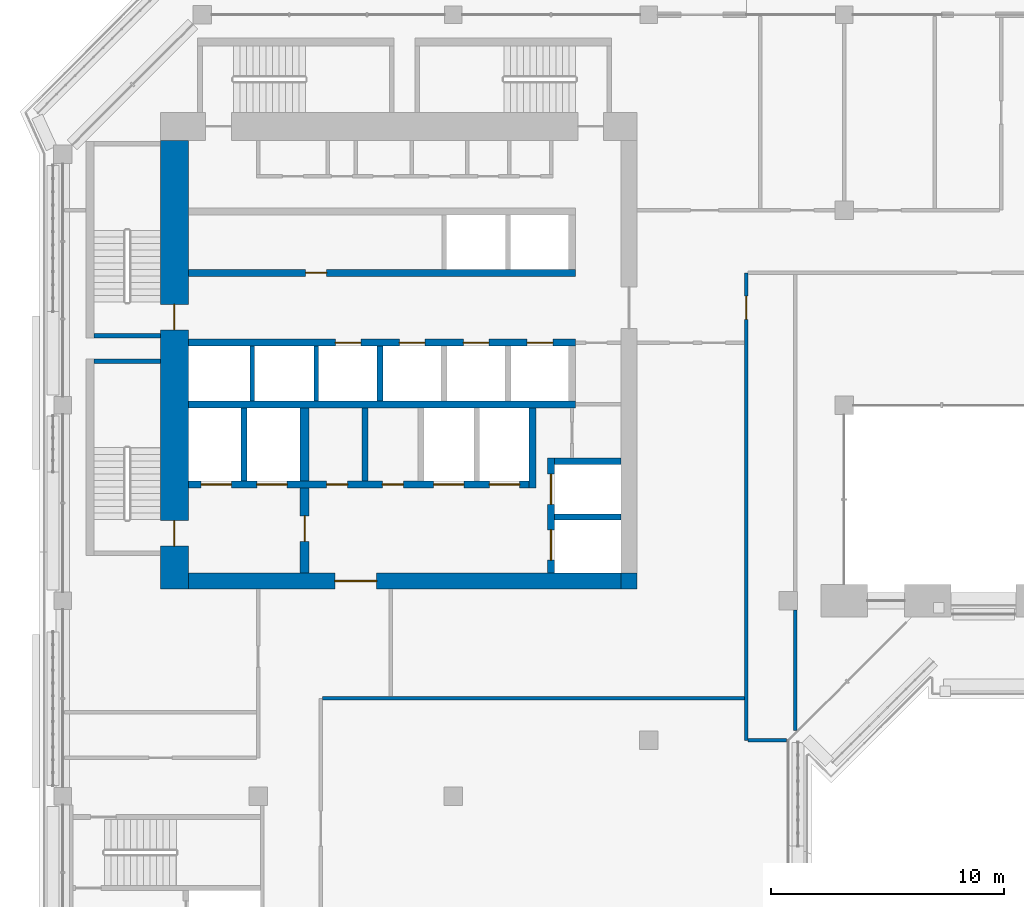
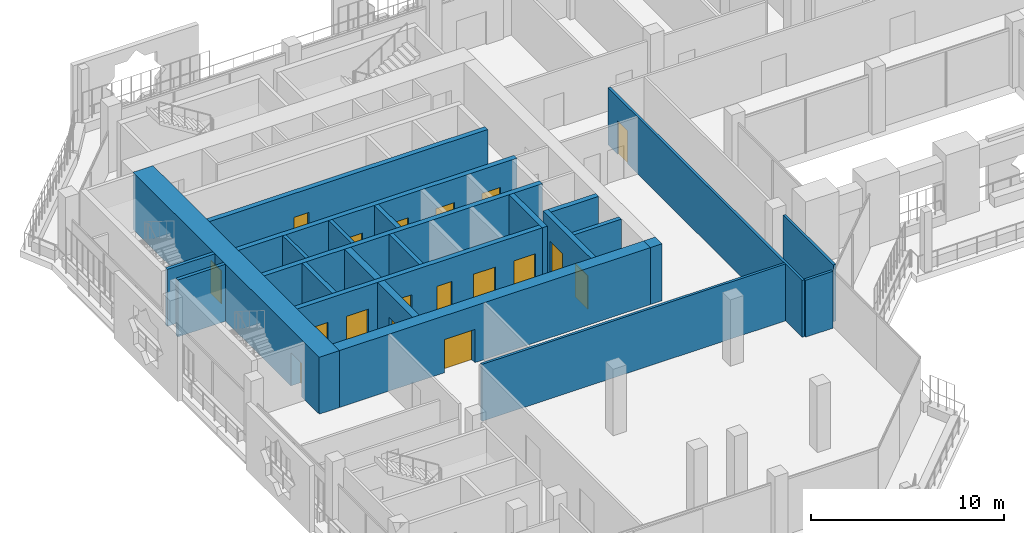
# One storey, part 11 of 23: 24 walls, 18 doors, 18 openings.
"""IFC4 building model written with IfcOpenShell, lengths in metres."""

from ifc_helpers import new_model, si_unit, direction, frame, frame_2d, origin, place, context, subcontext, project, spatial, rectangle, extrude, material, layer, layer_set, type_object, element, fill, save


model = new_model("IFC4")

# Units and contexts
model_context = context("Model", 3, precision=1e-05, world=origin(), true_north=direction((0.0, 1.0)))
body_context = subcontext(model_context, "Body", "Model", "MODEL_VIEW")
ifc_project = project(units=[si_unit("LENGTHUNIT", "METRE"), si_unit("AREAUNIT", "SQUARE_METRE"), si_unit("VOLUMEUNIT", "CUBIC_METRE"), si_unit("PLANEANGLEUNIT", "RADIAN"), si_unit("MASSUNIT", "GRAM", prefix="KILO")], contexts=[model_context])

# Site, building, storey
site_placement = place(None, origin())
site = spatial("IfcSite", under=ifc_project, at=site_placement, CompositionType="ELEMENT")
building_placement = place(site_placement, origin())
building = spatial("IfcBuilding", under=site, at=building_placement, Name="Kawkab Arch Medical Tower", CompositionType="ELEMENT")
storey_placement = place(building_placement, frame((0.0, 0.0, 281.800048828125)))
storey = spatial("IfcBuildingStorey", under=building, at=storey_placement, Name="L65", CompositionType="ELEMENT", Elevation=281.800048828125)

# Wall, openings, doors
ifc_material_1 = material(Name="Concrete C50/60", Category="concrete")
ifc_layer_1 = layer(ifc_material_1, 1.199951171875)
ifc_layer_set_1 = layer_set([ifc_layer_1], Name="Concrete C50/60")
wall_type_1 = type_object("IfcWallType", Name="Core ring wall 1200 C50/60", PredefinedType="SHEAR", material=ifc_layer_set_1)
wall_1_placement = place(storey_placement, frame((4.800048828125, -24.699951171875, 0.0), z_axis=(0.0, 0.0, 1.0), x_axis=(0.0, 1.0, 0.0)))
wall_1 = element("IfcWall", 1, at=wall_1_placement, inside=storey, type_object=wall_type_1, Name="L65 core wall", PredefinedType="SHEAR", context=body_context, shape_type="SweptSolid", body=[
    extrude(rectangle(XDim=19.300048828125, YDim=1.199951171875, at=frame_2d((9.64990234375, 0.0))), origin(), (0.0, 0.0, 1.0), 3.599853515625),
])
opening_1_placement = place(wall_1_placement, frame((11.14990234375, 0.0, 0.0)))
opening_1 = element("IfcOpeningElement", 2, at=opening_1_placement, cuts=wall_1, Name="Opening SD", PredefinedType="OPENING", context=body_context, shape_type="SweptSolid", body=[
    extrude(rectangle(XDim=1.10009765625, YDim=2.10009765625, at=frame_2d((0.550048828125, 1.050048828125))), frame((0.0, 0.60986328125, 0.0), z_axis=(0.0, -1.0, 0.0), x_axis=(1.0, 0.0, 0.0)), (0.0, 0.0, 1.0), 1.219970703125),
])
opening_2_placement = place(wall_1_placement, frame((1.85009765625, 0.0, 0.0)))
opening_2 = element("IfcOpeningElement", 3, at=opening_2_placement, cuts=wall_1, Name="Opening SD", PredefinedType="OPENING", context=body_context, shape_type="SweptSolid", body=[
    extrude(rectangle(XDim=1.10009765625, YDim=2.10009765625, at=frame_2d((0.550048828125, 1.050048828125))), frame((0.0, 0.60986328125, 0.0), z_axis=(0.0, -1.0, 0.0), x_axis=(1.0, 0.0, 0.0)), (0.0, 0.0, 1.0), 1.219970703125),
])
ifc_material_2 = material(Name="Hollow metal fire door leaf")
door_type_1 = type_object("IfcDoorType", Name="Exit stair door 1100", OperationType="SINGLE_SWING_LEFT", PredefinedType="DOOR", material=ifc_material_2)
door_1_placement = place(opening_1_placement, origin())
door_1 = element("IfcDoor", 4, at=door_1_placement, inside=storey, type_object=door_type_1, Name="L65 Exit stair ST1 door", OperationType="SINGLE_SWING_LEFT", OverallHeight=2.10009765625, OverallWidth=1.10009765625, PredefinedType="DOOR", context=body_context, shape_type="SweptSolid", body=[
    extrude(rectangle(XDim=1.10009765625, YDim=2.10009765625, at=frame_2d((0.550048828125, 1.050048828125))), frame((0.0, 0.02490234375, 0.0), z_axis=(0.0, -1.0, 0.0), x_axis=(1.0, 0.0, 0.0)), (0.0, 0.0, 1.0), 0.050048828125),
])
fill(opening_1, door_1)
door_2_placement = place(opening_2_placement, origin())
door_2 = element("IfcDoor", 5, at=door_2_placement, inside=storey, type_object=door_type_1, Name="L65 Exit stair ST2 door", OperationType="SINGLE_SWING_LEFT", OverallHeight=2.10009765625, OverallWidth=1.10009765625, PredefinedType="DOOR", context=body_context, shape_type="SweptSolid", body=[
    extrude(rectangle(XDim=1.10009765625, YDim=2.10009765625, at=frame_2d((0.550048828125, 1.050048828125))), frame((0.0, 0.02490234375, 0.0), z_axis=(0.0, -1.0, 0.0), x_axis=(1.0, 0.0, 0.0)), (0.0, 0.0, 1.0), 0.050048828125),
])
fill(opening_2, door_2)

# Wall, opening, door
ifc_material_3 = material(Name="Concrete C50/60", Category="concrete")
ifc_layer_2 = layer(ifc_material_3, 0.699951171875)
ifc_layer_set_2 = layer_set([ifc_layer_2], Name="Concrete C50/60")
wall_type_2 = type_object("IfcWallType", Name="Core ring wall 700 C50/60", PredefinedType="SHEAR", material=ifc_layer_set_2)
wall_2_placement = place(storey_placement, frame((5.39990234375, -24.35009765625, 0.0), z_axis=(0.0, 0.0, 1.0), x_axis=(1.0, 0.0, 0.0)))
wall_2 = element("IfcWall", 6, at=wall_2_placement, inside=storey, type_object=wall_type_2, Name="L65 core wall", PredefinedType="SHEAR", context=body_context, shape_type="SweptSolid", body=[
    extrude(rectangle(XDim=18.60009765625, YDim=0.699951171875, at=frame_2d((9.300048828125, 0.0))), origin(), (0.0, 0.0, 1.0), 3.599853515625),
])
opening_3_placement = place(wall_2_placement, frame((6.300048828125, 0.0, 0.0)))
opening_3 = element("IfcOpeningElement", 7, at=opening_3_placement, cuts=wall_2, Name="Opening PD", PredefinedType="OPENING", context=body_context, shape_type="SweptSolid", body=[
    extrude(rectangle(XDim=1.800048828125, YDim=2.10009765625, at=frame_2d((0.89990234375, 1.050048828125))), frame((0.0, 0.35986328125, 0.0), z_axis=(0.0, -1.0, 0.0), x_axis=(1.0, 0.0, 0.0)), (0.0, 0.0, 1.0), 0.719970703125),
])
ifc_material_4 = material(Name="Hollow metal fire door leaf")
door_type_2 = type_object("IfcDoorType", Name="Core entrance doors 1800", OperationType="DOUBLE_DOOR_SINGLE_SWING", PredefinedType="DOOR", material=ifc_material_4)
door_3_placement = place(opening_3_placement, origin())
door_3 = element("IfcDoor", 8, at=door_3_placement, inside=storey, type_object=door_type_2, Name="L65 South entrance doors", OperationType="DOUBLE_DOOR_SINGLE_SWING", OverallHeight=2.10009765625, OverallWidth=1.800048828125, PredefinedType="DOOR", context=body_context, shape_type="SweptSolid", body=[
    extrude(rectangle(XDim=1.800048828125, YDim=2.10009765625, at=frame_2d((0.89990234375, 1.050048828125))), frame((0.0, 0.02490234375, 0.0), z_axis=(0.0, -1.0, 0.0), x_axis=(1.0, 0.0, 0.0)), (0.0, 0.0, 1.0), 0.050048828125),
])
fill(opening_3, door_3)

# Walls
wall_3_placement = place(storey_placement, frame((24.35009765625, -24.699951171875, 0.0), z_axis=(0.0, 0.0, 1.0), x_axis=(0.0, 1.0, 0.0)))
element("IfcWall", 9, at=wall_3_placement, inside=storey, type_object=wall_type_2, Name="L65 core wall", PredefinedType="SHEAR", context=body_context, shape_type="SweptSolid", body=[
    extrude(rectangle(XDim=0.699951171875, YDim=0.699951171875, at=frame_2d((0.35009765625, 0.0))), origin(), (0.0, 0.0, 1.0), 3.599853515625),
])
ifc_material_5 = material(Name="Concrete C60/75", Category="concrete")
ifc_layer_3 = layer(ifc_material_5, 0.25)
ifc_layer_set_3 = layer_set([ifc_layer_3], Name="Concrete C60/75")
wall_type_3 = type_object("IfcWallType", Name="Core shear wall 250 C60/75", PredefinedType="SHEAR", material=ifc_layer_set_3)
wall_4_placement = place(storey_placement, frame((21.14990234375, -21.60009765625, 0.0), z_axis=(0.0, 0.0, 1.0), x_axis=(1.0, 0.0, 0.0)))
element("IfcWall", 10, at=wall_4_placement, inside=storey, type_object=wall_type_3, Name="L65 core shear wall", PredefinedType="SHEAR", context=body_context, shape_type="SweptSolid", body=[
    extrude(rectangle(XDim=2.85009765625, YDim=0.25, at=frame_2d((1.425048828125, 0.0))), origin(), (0.0, 0.0, 1.0), 3.599853515625),
])
for number, where, z_axis, x_axis, name in (
    (11, (7.800048828125, -20.050048828125, 0.0), (0.0, 0.0, 1.0), (0.0, 1.0, 0.0), "L65 core shear wall"),
    (12, (13.0, -20.050048828125, 0.0), (0.0, 0.0, 1.0), (0.0, 1.0, 0.0), "L65 core shear wall"),
):
    element("IfcWall", number, at=place(storey_placement, frame(where, z_axis=z_axis, x_axis=x_axis)), inside=storey, type_object=wall_type_3, Name=name, PredefinedType="SHEAR", context=body_context, shape_type="SweptSolid", body=[
        extrude(rectangle(XDim=3.150146484375, YDim=0.25, at=frame_2d((1.5751953125, 0.0))), origin(), (0.0, 0.0, 1.0), 3.599853515625),
    ])
wall_5_placement = place(storey_placement, frame((13.64990234375, -16.60009765625, 0.0), z_axis=(0.0, 0.0, 1.0), x_axis=(0.0, 1.0, 0.0)))
element("IfcWall", 13, at=wall_5_placement, inside=storey, type_object=wall_type_3, Name="L65 core shear wall", PredefinedType="SHEAR", context=body_context, shape_type="SweptSolid", body=[
    extrude(rectangle(XDim=2.35009765625, YDim=0.25, at=frame_2d((1.175048828125, 0.0))), origin(), (0.0, 0.0, 1.0), 3.599853515625),
])

# Wall, opening, door
ifc_material_6 = material(Name="Concrete C60/75", Category="concrete")
ifc_layer_4 = layer(ifc_material_6, 0.300048828125)
ifc_layer_set_4 = layer_set([ifc_layer_4], Name="Concrete C60/75")
wall_type_4 = type_object("IfcWallType", Name="Core shear wall 300 C60/75", PredefinedType="SHEAR", material=ifc_layer_set_4)
wall_6_placement = place(storey_placement, frame((5.39990234375, -11.10009765625, 0.0), z_axis=(0.0, 0.0, 1.0), x_axis=(1.0, 0.0, 0.0)))
wall_6 = element("IfcWall", 14, at=wall_6_placement, inside=storey, type_object=wall_type_4, Name="L65 core shear wall", PredefinedType="SHEAR", context=body_context, shape_type="SweptSolid", body=[
    extrude(rectangle(XDim=16.650146484375, YDim=0.300048828125, at=frame_2d((8.3251953125, 0.0))), origin(), (0.0, 0.0, 1.0), 3.599853515625),
])
opening_4_placement = place(wall_6_placement, frame((5.050048828125, 0.0, 0.0)))
opening_4 = element("IfcOpeningElement", 15, at=opening_4_placement, cuts=wall_6, Name="Opening RD", PredefinedType="OPENING", context=body_context, shape_type="SweptSolid", body=[
    extrude(rectangle(XDim=0.89990234375, YDim=2.10009765625, at=frame_2d((0.449951171875, 1.050048828125))), frame((0.0, 0.159912109375, 0.0), z_axis=(0.0, -1.0, 0.0), x_axis=(1.0, 0.0, 0.0)), (0.0, 0.0, 1.0), 0.320068359375),
])
ifc_material_7 = material(Name="Hollow metal fire door leaf")
door_type_3 = type_object("IfcDoorType", Name="Core room door 900", OperationType="SINGLE_SWING_LEFT", PredefinedType="DOOR", material=ifc_material_7)
door_4_placement = place(opening_4_placement, origin())
door_4 = element("IfcDoor", 16, at=door_4_placement, inside=storey, type_object=door_type_3, Name="L65 Data room door", OperationType="SINGLE_SWING_LEFT", OverallHeight=2.10009765625, OverallWidth=0.89990234375, PredefinedType="DOOR", context=body_context, shape_type="SweptSolid", body=[
    extrude(rectangle(XDim=0.89990234375, YDim=2.10009765625, at=frame_2d((0.449951171875, 1.050048828125))), frame((0.0, 0.02490234375, 0.0), z_axis=(0.0, -1.0, 0.0), x_axis=(1.0, 0.0, 0.0)), (0.0, 0.0, 1.0), 0.050048828125),
])
fill(opening_4, door_4)

# Wall, openings, doors
wall_7_placement = place(storey_placement, frame((5.39990234375, -14.10009765625, 0.0), z_axis=(0.0, 0.0, 1.0), x_axis=(1.0, 0.0, 0.0)))
wall_7 = element("IfcWall", 17, at=wall_7_placement, inside=storey, type_object=wall_type_4, Name="L65 core shear wall", PredefinedType="SHEAR", context=body_context, shape_type="SweptSolid", body=[
    extrude(rectangle(XDim=16.650146484375, YDim=0.300048828125, at=frame_2d((8.3251953125, 0.0))), origin(), (0.0, 0.0, 1.0), 3.599853515625),
])
opening_5_placement = place(wall_7_placement, frame((6.324951171875, 0.0, 0.0)))
opening_5 = element("IfcOpeningElement", 18, at=opening_5_placement, cuts=wall_7, Name="Opening LD1", PredefinedType="OPENING", context=body_context, shape_type="SweptSolid", body=[
    extrude(rectangle(XDim=1.10009765625, YDim=2.10009765625, at=frame_2d((0.550048828125, 1.050048828125))), frame((0.0, 0.159912109375, 0.0), z_axis=(0.0, -1.0, 0.0), x_axis=(1.0, 0.0, 0.0)), (0.0, 0.0, 1.0), 0.320068359375),
])
opening_6_placement = place(wall_7_placement, frame((9.074951171875, 0.0, 0.0)))
opening_6 = element("IfcOpeningElement", 19, at=opening_6_placement, cuts=wall_7, Name="Opening LD1", PredefinedType="OPENING", context=body_context, shape_type="SweptSolid", body=[
    extrude(rectangle(XDim=1.10009765625, YDim=2.10009765625, at=frame_2d((0.550048828125, 1.050048828125))), frame((0.0, 0.159912109375, 0.0), z_axis=(0.0, -1.0, 0.0), x_axis=(1.0, 0.0, 0.0)), (0.0, 0.0, 1.0), 0.320068359375),
])
opening_7_placement = place(wall_7_placement, frame((11.824951171875, 0.0, 0.0)))
opening_7 = element("IfcOpeningElement", 20, at=opening_7_placement, cuts=wall_7, Name="Opening LD1", PredefinedType="OPENING", context=body_context, shape_type="SweptSolid", body=[
    extrude(rectangle(XDim=1.10009765625, YDim=2.10009765625, at=frame_2d((0.550048828125, 1.050048828125))), frame((0.0, 0.159912109375, 0.0), z_axis=(0.0, -1.0, 0.0), x_axis=(1.0, 0.0, 0.0)), (0.0, 0.0, 1.0), 0.320068359375),
])
opening_8_placement = place(wall_7_placement, frame((14.574951171875, 0.0, 0.0)))
opening_8 = element("IfcOpeningElement", 21, at=opening_8_placement, cuts=wall_7, Name="Opening LD1", PredefinedType="OPENING", context=body_context, shape_type="SweptSolid", body=[
    extrude(rectangle(XDim=1.10009765625, YDim=2.10009765625, at=frame_2d((0.550048828125, 1.050048828125))), frame((0.0, 0.159912109375, 0.0), z_axis=(0.0, -1.0, 0.0), x_axis=(1.0, 0.0, 0.0)), (0.0, 0.0, 1.0), 0.320068359375),
])
ifc_material_8 = material(Name="Stainless steel lift door leaf", Category="steel")
door_type_4 = type_object("IfcDoorType", Name="Lift landing door 1100", OperationType="DOUBLE_DOOR_SLIDING", PredefinedType="DOOR", material=ifc_material_8)
door_5_placement = place(opening_5_placement, origin())
door_5 = element("IfcDoor", 22, at=door_5_placement, inside=storey, type_object=door_type_4, Name="L65 Lift landing door HP1", OperationType="DOUBLE_DOOR_SLIDING", OverallHeight=2.10009765625, OverallWidth=1.10009765625, PredefinedType="DOOR", context=body_context, shape_type="SweptSolid", body=[
    extrude(rectangle(XDim=1.10009765625, YDim=2.10009765625, at=frame_2d((0.550048828125, 1.050048828125))), frame((0.0, 0.02490234375, 0.0), z_axis=(0.0, -1.0, 0.0), x_axis=(1.0, 0.0, 0.0)), (0.0, 0.0, 1.0), 0.050048828125),
])
fill(opening_5, door_5)
door_6_placement = place(opening_6_placement, origin())
door_6 = element("IfcDoor", 23, at=door_6_placement, inside=storey, type_object=door_type_4, Name="L65 Lift landing door HP2", OperationType="DOUBLE_DOOR_SLIDING", OverallHeight=2.10009765625, OverallWidth=1.10009765625, PredefinedType="DOOR", context=body_context, shape_type="SweptSolid", body=[
    extrude(rectangle(XDim=1.10009765625, YDim=2.10009765625, at=frame_2d((0.550048828125, 1.050048828125))), frame((0.0, 0.02490234375, 0.0), z_axis=(0.0, -1.0, 0.0), x_axis=(1.0, 0.0, 0.0)), (0.0, 0.0, 1.0), 0.050048828125),
])
fill(opening_6, door_6)
door_7_placement = place(opening_7_placement, origin())
door_7 = element("IfcDoor", 24, at=door_7_placement, inside=storey, type_object=door_type_4, Name="L65 Lift landing door HP3", OperationType="DOUBLE_DOOR_SLIDING", OverallHeight=2.10009765625, OverallWidth=1.10009765625, PredefinedType="DOOR", context=body_context, shape_type="SweptSolid", body=[
    extrude(rectangle(XDim=1.10009765625, YDim=2.10009765625, at=frame_2d((0.550048828125, 1.050048828125))), frame((0.0, 0.02490234375, 0.0), z_axis=(0.0, -1.0, 0.0), x_axis=(1.0, 0.0, 0.0)), (0.0, 0.0, 1.0), 0.050048828125),
])
fill(opening_7, door_7)
door_8_placement = place(opening_8_placement, origin())
door_8 = element("IfcDoor", 25, at=door_8_placement, inside=storey, type_object=door_type_4, Name="L65 Lift landing door HP4", OperationType="DOUBLE_DOOR_SLIDING", OverallHeight=2.10009765625, OverallWidth=1.10009765625, PredefinedType="DOOR", context=body_context, shape_type="SweptSolid", body=[
    extrude(rectangle(XDim=1.10009765625, YDim=2.10009765625, at=frame_2d((0.550048828125, 1.050048828125))), frame((0.0, 0.02490234375, 0.0), z_axis=(0.0, -1.0, 0.0), x_axis=(1.0, 0.0, 0.0)), (0.0, 0.0, 1.0), 0.050048828125),
])
fill(opening_8, door_8)

# Wall
wall_8_placement = place(storey_placement, frame((5.39990234375, -16.75, 0.0), z_axis=(0.0, 0.0, 1.0), x_axis=(1.0, 0.0, 0.0)))
element("IfcWall", 26, at=wall_8_placement, inside=storey, type_object=wall_type_4, Name="L65 core shear wall", PredefinedType="SHEAR", context=body_context, shape_type="SweptSolid", body=[
    extrude(rectangle(XDim=16.650146484375, YDim=0.300048828125, at=frame_2d((8.3251953125, 0.0))), origin(), (0.0, 0.0, 1.0), 3.599853515625),
])

# Wall, openings, doors
wall_9_placement = place(storey_placement, frame((5.39990234375, -20.199951171875, 0.0), z_axis=(0.0, 0.0, 1.0), x_axis=(1.0, 0.0, 0.0)))
wall_9 = element("IfcWall", 27, at=wall_9_placement, inside=storey, type_object=wall_type_4, Name="L65 core shear wall", PredefinedType="SHEAR", context=body_context, shape_type="SweptSolid", body=[
    extrude(rectangle(XDim=14.650146484375, YDim=0.300048828125, at=frame_2d((7.3251953125, 0.0))), origin(), (0.0, 0.0, 1.0), 3.599853515625),
])
opening_9_placement = place(wall_9_placement, frame((10.550048828125, 0.0, 0.0)))
opening_9 = element("IfcOpeningElement", 28, at=opening_9_placement, cuts=wall_9, Name="Opening LD2", PredefinedType="OPENING", context=body_context, shape_type="SweptSolid", body=[
    extrude(rectangle(XDim=1.300048828125, YDim=2.10009765625, at=frame_2d((0.64990234375, 1.050048828125))), frame((0.0, 0.159912109375, 0.0), z_axis=(0.0, -1.0, 0.0), x_axis=(1.0, 0.0, 0.0)), (0.0, 0.0, 1.0), 0.320068359375),
])
opening_10_placement = place(wall_9_placement, frame((12.949951171875, 0.0, 0.0)))
opening_10 = element("IfcOpeningElement", 29, at=opening_10_placement, cuts=wall_9, Name="Opening LD2", PredefinedType="OPENING", context=body_context, shape_type="SweptSolid", body=[
    extrude(rectangle(XDim=1.300048828125, YDim=2.10009765625, at=frame_2d((0.64990234375, 1.050048828125))), frame((0.0, 0.159912109375, 0.0), z_axis=(0.0, -1.0, 0.0), x_axis=(1.0, 0.0, 0.0)), (0.0, 0.0, 1.0), 0.320068359375),
])
opening_11_placement = place(wall_9_placement, frame((0.550048828125, 0.0, 0.0)))
opening_11 = element("IfcOpeningElement", 30, at=opening_11_placement, cuts=wall_9, Name="Opening LD2", PredefinedType="OPENING", context=body_context, shape_type="SweptSolid", body=[
    extrude(rectangle(XDim=1.300048828125, YDim=2.10009765625, at=frame_2d((0.64990234375, 1.050048828125))), frame((0.0, 0.159912109375, 0.0), z_axis=(0.0, -1.0, 0.0), x_axis=(1.0, 0.0, 0.0)), (0.0, 0.0, 1.0), 0.320068359375),
])
opening_12_placement = place(wall_9_placement, frame((2.949951171875, 0.0, 0.0)))
opening_12 = element("IfcOpeningElement", 31, at=opening_12_placement, cuts=wall_9, Name="Opening LD2", PredefinedType="OPENING", context=body_context, shape_type="SweptSolid", body=[
    extrude(rectangle(XDim=1.300048828125, YDim=2.10009765625, at=frame_2d((0.64990234375, 1.050048828125))), frame((0.0, 0.159912109375, 0.0), z_axis=(0.0, -1.0, 0.0), x_axis=(1.0, 0.0, 0.0)), (0.0, 0.0, 1.0), 0.320068359375),
])
opening_13_placement = place(wall_9_placement, frame((5.949951171875, 0.0, 0.0)))
opening_13 = element("IfcOpeningElement", 32, at=opening_13_placement, cuts=wall_9, Name="Opening RD", PredefinedType="OPENING", context=body_context, shape_type="SweptSolid", body=[
    extrude(rectangle(XDim=0.89990234375, YDim=2.10009765625, at=frame_2d((0.449951171875, 1.050048828125))), frame((0.0, 0.159912109375, 0.0), z_axis=(0.0, -1.0, 0.0), x_axis=(1.0, 0.0, 0.0)), (0.0, 0.0, 1.0), 0.320068359375),
])
opening_14_placement = place(wall_9_placement, frame((8.35009765625, 0.0, 0.0)))
opening_14 = element("IfcOpeningElement", 33, at=opening_14_placement, cuts=wall_9, Name="Opening RD", PredefinedType="OPENING", context=body_context, shape_type="SweptSolid", body=[
    extrude(rectangle(XDim=0.89990234375, YDim=2.10009765625, at=frame_2d((0.449951171875, 1.050048828125))), frame((0.0, 0.159912109375, 0.0), z_axis=(0.0, -1.0, 0.0), x_axis=(1.0, 0.0, 0.0)), (0.0, 0.0, 1.0), 0.320068359375),
])
door_9_placement = place(opening_13_placement, origin())
door_9 = element("IfcDoor", 34, at=door_9_placement, inside=storey, type_object=door_type_3, Name="L65 Dirty utility room door", OperationType="SINGLE_SWING_LEFT", OverallHeight=2.10009765625, OverallWidth=0.89990234375, PredefinedType="DOOR", context=body_context, shape_type="SweptSolid", body=[
    extrude(rectangle(XDim=0.89990234375, YDim=2.10009765625, at=frame_2d((0.449951171875, 1.050048828125))), frame((0.0, 0.02490234375, 0.0), z_axis=(0.0, -1.0, 0.0), x_axis=(1.0, 0.0, 0.0)), (0.0, 0.0, 1.0), 0.050048828125),
])
fill(opening_13, door_9)
door_10_placement = place(opening_14_placement, origin())
door_10 = element("IfcDoor", 35, at=door_10_placement, inside=storey, type_object=door_type_3, Name="L65 Medication store door", OperationType="SINGLE_SWING_LEFT", OverallHeight=2.10009765625, OverallWidth=0.89990234375, PredefinedType="DOOR", context=body_context, shape_type="SweptSolid", body=[
    extrude(rectangle(XDim=0.89990234375, YDim=2.10009765625, at=frame_2d((0.449951171875, 1.050048828125))), frame((0.0, 0.02490234375, 0.0), z_axis=(0.0, -1.0, 0.0), x_axis=(1.0, 0.0, 0.0)), (0.0, 0.0, 1.0), 0.050048828125),
])
fill(opening_14, door_10)
ifc_material_9 = material(Name="Stainless steel lift door leaf", Category="steel")
door_type_5 = type_object("IfcDoorType", Name="Lift landing door 1300", OperationType="DOUBLE_DOOR_SLIDING", PredefinedType="DOOR", material=ifc_material_9)
door_11_placement = place(opening_9_placement, origin())
door_11 = element("IfcDoor", 36, at=door_11_placement, inside=storey, type_object=door_type_5, Name="L65 Lift landing door BD3", OperationType="DOUBLE_DOOR_SLIDING", OverallHeight=2.10009765625, OverallWidth=1.300048828125, PredefinedType="DOOR", context=body_context, shape_type="SweptSolid", body=[
    extrude(rectangle(XDim=1.300048828125, YDim=2.10009765625, at=frame_2d((0.64990234375, 1.050048828125))), frame((0.0, 0.02490234375, 0.0), z_axis=(0.0, -1.0, 0.0), x_axis=(1.0, 0.0, 0.0)), (0.0, 0.0, 1.0), 0.050048828125),
])
fill(opening_9, door_11)
door_12_placement = place(opening_10_placement, origin())
door_12 = element("IfcDoor", 37, at=door_12_placement, inside=storey, type_object=door_type_5, Name="L65 Lift landing door BD4", OperationType="DOUBLE_DOOR_SLIDING", OverallHeight=2.10009765625, OverallWidth=1.300048828125, PredefinedType="DOOR", context=body_context, shape_type="SweptSolid", body=[
    extrude(rectangle(XDim=1.300048828125, YDim=2.10009765625, at=frame_2d((0.64990234375, 1.050048828125))), frame((0.0, 0.02490234375, 0.0), z_axis=(0.0, -1.0, 0.0), x_axis=(1.0, 0.0, 0.0)), (0.0, 0.0, 1.0), 0.050048828125),
])
fill(opening_10, door_12)
door_13_placement = place(opening_11_placement, origin())
door_13 = element("IfcDoor", 38, at=door_13_placement, inside=storey, type_object=door_type_5, Name="L65 Lift landing door FL1", OperationType="DOUBLE_DOOR_SLIDING", OverallHeight=2.10009765625, OverallWidth=1.300048828125, PredefinedType="DOOR", context=body_context, shape_type="SweptSolid", body=[
    extrude(rectangle(XDim=1.300048828125, YDim=2.10009765625, at=frame_2d((0.64990234375, 1.050048828125))), frame((0.0, 0.02490234375, 0.0), z_axis=(0.0, -1.0, 0.0), x_axis=(1.0, 0.0, 0.0)), (0.0, 0.0, 1.0), 0.050048828125),
])
fill(opening_11, door_13)
door_14_placement = place(opening_12_placement, origin())
door_14 = element("IfcDoor", 39, at=door_14_placement, inside=storey, type_object=door_type_5, Name="L65 Lift landing door FL2", OperationType="DOUBLE_DOOR_SLIDING", OverallHeight=2.10009765625, OverallWidth=1.300048828125, PredefinedType="DOOR", context=body_context, shape_type="SweptSolid", body=[
    extrude(rectangle(XDim=1.300048828125, YDim=2.10009765625, at=frame_2d((0.64990234375, 1.050048828125))), frame((0.0, 0.02490234375, 0.0), z_axis=(0.0, -1.0, 0.0), x_axis=(1.0, 0.0, 0.0)), (0.0, 0.0, 1.0), 0.050048828125),
])
fill(opening_12, door_14)

# Walls
wall_10_placement = place(storey_placement, frame((20.199951171875, -20.35009765625, 0.0), z_axis=(0.0, 0.0, 1.0), x_axis=(0.0, 1.0, 0.0)))
element("IfcWall", 40, at=wall_10_placement, inside=storey, type_object=wall_type_4, Name="L65 core shear wall", PredefinedType="SHEAR", context=body_context, shape_type="SweptSolid", body=[
    extrude(rectangle(XDim=3.4501953125, YDim=0.300048828125, at=frame_2d((1.72509765625, 0.0))), origin(), (0.0, 0.0, 1.0), 3.599853515625),
])
wall_11_placement = place(storey_placement, frame((21.14990234375, -19.199951171875, 0.0), z_axis=(0.0, 0.0, 1.0), x_axis=(1.0, 0.0, 0.0)))
element("IfcWall", 41, at=wall_11_placement, inside=storey, type_object=wall_type_4, Name="L65 core shear wall", PredefinedType="SHEAR", context=body_context, shape_type="SweptSolid", body=[
    extrude(rectangle(XDim=2.85009765625, YDim=0.300048828125, at=frame_2d((1.425048828125, 0.0))), origin(), (0.0, 0.0, 1.0), 3.599853515625),
])

# Wall, openings, doors
wall_12_placement = place(storey_placement, frame((21.0, -24.0, 0.0), z_axis=(0.0, 0.0, 1.0), x_axis=(0.0, 1.0, 0.0)))
wall_12 = element("IfcWall", 42, at=wall_12_placement, inside=storey, type_object=wall_type_4, Name="L65 core shear wall", PredefinedType="SHEAR", context=body_context, shape_type="SweptSolid", body=[
    extrude(rectangle(XDim=4.949951171875, YDim=0.300048828125, at=frame_2d((2.47509765625, 0.0))), origin(), (0.0, 0.0, 1.0), 3.599853515625),
])
opening_15_placement = place(wall_12_placement, frame((2.949951171875, 0.0, 0.0)))
opening_15 = element("IfcOpeningElement", 43, at=opening_15_placement, cuts=wall_12, Name="Opening LD2", PredefinedType="OPENING", context=body_context, shape_type="SweptSolid", body=[
    extrude(rectangle(XDim=1.300048828125, YDim=2.10009765625, at=frame_2d((0.64990234375, 1.050048828125))), frame((0.0, 0.159912109375, 0.0), z_axis=(0.0, -1.0, 0.0), x_axis=(1.0, 0.0, 0.0)), (0.0, 0.0, 1.0), 0.320068359375),
])
opening_16_placement = place(wall_12_placement, frame((0.550048828125, 0.0, 0.0)))
opening_16 = element("IfcOpeningElement", 44, at=opening_16_placement, cuts=wall_12, Name="Opening LD2", PredefinedType="OPENING", context=body_context, shape_type="SweptSolid", body=[
    extrude(rectangle(XDim=1.300048828125, YDim=2.10009765625, at=frame_2d((0.64990234375, 1.050048828125))), frame((0.0, 0.159912109375, 0.0), z_axis=(0.0, -1.0, 0.0), x_axis=(1.0, 0.0, 0.0)), (0.0, 0.0, 1.0), 0.320068359375),
])
door_15_placement = place(opening_15_placement, origin())
door_15 = element("IfcDoor", 45, at=door_15_placement, inside=storey, type_object=door_type_5, Name="L65 Lift landing door BD1", OperationType="DOUBLE_DOOR_SLIDING", OverallHeight=2.10009765625, OverallWidth=1.300048828125, PredefinedType="DOOR", context=body_context, shape_type="SweptSolid", body=[
    extrude(rectangle(XDim=1.300048828125, YDim=2.10009765625, at=frame_2d((0.64990234375, 1.050048828125))), frame((0.0, 0.02490234375, 0.0), z_axis=(0.0, -1.0, 0.0), x_axis=(1.0, 0.0, 0.0)), (0.0, 0.0, 1.0), 0.050048828125),
])
fill(opening_15, door_15)
door_16_placement = place(opening_16_placement, origin())
door_16 = element("IfcDoor", 46, at=door_16_placement, inside=storey, type_object=door_type_5, Name="L65 Lift landing door BD2", OperationType="DOUBLE_DOOR_SLIDING", OverallHeight=2.10009765625, OverallWidth=1.300048828125, PredefinedType="DOOR", context=body_context, shape_type="SweptSolid", body=[
    extrude(rectangle(XDim=1.300048828125, YDim=2.10009765625, at=frame_2d((0.64990234375, 1.050048828125))), frame((0.0, 0.02490234375, 0.0), z_axis=(0.0, -1.0, 0.0), x_axis=(1.0, 0.0, 0.0)), (0.0, 0.0, 1.0), 0.050048828125),
])
fill(opening_16, door_16)

# Wall, opening, door
ifc_material_10 = material(Name="Concrete C60/75", Category="concrete")
ifc_layer_5 = layer(ifc_material_10, 0.39990234375)
ifc_layer_set_5 = layer_set([ifc_layer_5], Name="Concrete C60/75")
wall_type_5 = type_object("IfcWallType", Name="Core shear wall 400 C60/75", PredefinedType="SHEAR", material=ifc_layer_set_5)
wall_13_placement = place(storey_placement, frame((10.39990234375, -24.0, 0.0), z_axis=(0.0, 0.0, 1.0), x_axis=(0.0, 1.0, 0.0)))
wall_13 = element("IfcWall", 47, at=wall_13_placement, inside=storey, type_object=wall_type_5, Name="L65 core shear wall", PredefinedType="SHEAR", context=body_context, shape_type="SweptSolid", body=[
    extrude(rectangle(XDim=3.64990234375, YDim=0.39990234375, at=frame_2d((1.824951171875, 0.0))), origin(), (0.0, 0.0, 1.0), 3.599853515625),
])
opening_17_placement = place(wall_13_placement, frame((1.35009765625, 0.0, 0.0)))
opening_17 = element("IfcOpeningElement", 48, at=opening_17_placement, cuts=wall_13, Name="Opening FD", PredefinedType="OPENING", context=body_context, shape_type="SweptSolid", body=[
    extrude(rectangle(XDim=1.10009765625, YDim=2.10009765625, at=frame_2d((0.550048828125, 1.050048828125))), frame((0.0, 0.2099609375, 0.0), z_axis=(0.0, -1.0, 0.0), x_axis=(1.0, 0.0, 0.0)), (0.0, 0.0, 1.0), 0.419921875),
])
ifc_material_11 = material(Name="Hollow metal fire door leaf")
door_type_6 = type_object("IfcDoorType", Name="Firefighting lobby door 1100", OperationType="SINGLE_SWING_LEFT", PredefinedType="DOOR", material=ifc_material_11)
door_17_placement = place(opening_17_placement, origin())
door_17 = element("IfcDoor", 49, at=door_17_placement, inside=storey, type_object=door_type_6, Name="L65 Firefighting lobby door", OperationType="SINGLE_SWING_LEFT", OverallHeight=2.10009765625, OverallWidth=1.10009765625, PredefinedType="DOOR", context=body_context, shape_type="SweptSolid", body=[
    extrude(rectangle(XDim=1.10009765625, YDim=2.10009765625, at=frame_2d((0.550048828125, 1.050048828125))), frame((0.0, 0.02490234375, 0.0), z_axis=(0.0, -1.0, 0.0), x_axis=(1.0, 0.0, 0.0)), (0.0, 0.0, 1.0), 0.050048828125),
])
fill(opening_17, door_17)

# Walls
wall_14_placement = place(storey_placement, frame((10.39990234375, -20.050048828125, 0.0), z_axis=(0.0, 0.0, 1.0), x_axis=(0.0, 1.0, 0.0)))
element("IfcWall", 50, at=wall_14_placement, inside=storey, type_object=wall_type_5, Name="L65 core shear wall", PredefinedType="SHEAR", context=body_context, shape_type="SweptSolid", body=[
    extrude(rectangle(XDim=3.150146484375, YDim=0.39990234375, at=frame_2d((1.5751953125, 0.0))), origin(), (0.0, 0.0, 1.0), 3.599853515625),
])
ifc_material_12 = material(Name="Dense concrete blockwork", Category="masonry")
ifc_layer_6 = layer(ifc_material_12, 0.199951171875)
ifc_layer_set_6 = layer_set([ifc_layer_6], Name="Dense concrete blockwork")
wall_type_6 = type_object("IfcWallType", Name="Lift shaft partition 200", PredefinedType="PARTITIONING", material=ifc_layer_set_6)
for number, where, z_axis, x_axis, name in (
    (51, (8.14990234375, -16.60009765625, 0.0), (0.0, 0.0, 1.0), (0.0, 1.0, 0.0), "L65 lift shaft partition"),
    (52, (10.89990234375, -16.60009765625, 0.0), (0.0, 0.0, 1.0), (0.0, 1.0, 0.0), "L65 lift shaft partition"),
):
    element("IfcWall", number, at=place(storey_placement, frame(where, z_axis=z_axis, x_axis=x_axis)), inside=storey, type_object=wall_type_6, Name=name, PredefinedType="PARTITIONING", context=body_context, shape_type="SweptSolid", body=[
        extrude(rectangle(XDim=2.35009765625, YDim=0.199951171875, at=frame_2d((1.175048828125, 0.0))), origin(), (0.0, 0.0, 1.0), 3.599853515625),
    ])
ifc_material_13 = material(Name="Gypsum board partition on steel studs, mineral wool", Category="steel")
ifc_layer_7 = layer(ifc_material_13, 0.14990234375)
ifc_layer_set_7 = layer_set([ifc_layer_7], Name="Gypsum board partition on steel studs, mineral wool")
wall_type_7 = type_object("IfcWallType", Name="Partition 150", PredefinedType="PARTITIONING", material=ifc_layer_set_7)
wall_15_placement = place(storey_placement, frame((29.47705078125, -31.199951171875, 0.0), z_axis=(0.0, 0.0, 1.0), x_axis=(1.0, 0.0, 0.0)))
element("IfcWall", 53, at=wall_15_placement, inside=storey, type_object=wall_type_7, Name="Partition 150 w003", PredefinedType="PARTITIONING", context=body_context, shape_type="SweptSolid", body=[
    extrude(rectangle(XDim=1.64306640625, YDim=0.14990234375, at=frame_2d((0.821533203125, 0.0))), origin(), (0.0, 0.0, 1.0), 3.599853515625),
])
wall_16_placement = place(storey_placement, frame((11.175048828125, -29.39990234375, 0.0), z_axis=(0.0, 0.0, 1.0), x_axis=(1.0, 0.0, 0.0)))
element("IfcWall", 54, at=wall_16_placement, inside=storey, type_object=wall_type_7, Name="Partition 150 w005", PredefinedType="PARTITIONING", context=body_context, shape_type="SweptSolid", body=[
    extrude(rectangle(XDim=18.14990234375, YDim=0.14990234375, at=frame_2d((9.074951171875, 0.0))), origin(), (0.0, 0.0, 1.0), 3.599853515625),
])

# Wall, opening, door
wall_17_placement = place(storey_placement, frame((29.39990234375, -31.197998046875, 0.0), z_axis=(0.0, 0.0, 1.0), x_axis=(0.0, 1.0, 0.0)))
wall_17 = element("IfcWall", 55, at=wall_17_placement, inside=storey, type_object=wall_type_7, Name="Partition 150 w017", PredefinedType="PARTITIONING", context=body_context, shape_type="SweptSolid", body=[
    extrude(rectangle(XDim=20.097900390625, YDim=0.14990234375, at=frame_2d((10.048828125, 0.0))), origin(), (0.0, 0.0, 1.0), 3.599853515625),
])
opening_18_placement = place(wall_17_placement, frame((18.097900390625, 0.0, 0.0)))
opening_18 = element("IfcOpeningElement", 56, at=opening_18_placement, cuts=wall_17, Name="Opening B65-006", PredefinedType="OPENING", context=body_context, shape_type="SweptSolid", body=[
    extrude(rectangle(XDim=1.0, YDim=2.10009765625, at=frame_2d((0.5, 1.050048828125))), frame((0.0, 0.0849609375, 0.0), z_axis=(0.0, -1.0, 0.0), x_axis=(1.0, 0.0, 0.0)), (0.0, 0.0, 1.0), 0.169921875),
])
ifc_material_14 = material(Name="Timber door leaf", Category="wood")
door_type_7 = type_object("IfcDoorType", Name="Single door 1000x2100", OperationType="NOTDEFINED", PredefinedType="DOOR", material=ifc_material_14)
door_18_placement = place(opening_18_placement, origin())
door_18 = element("IfcDoor", 57, at=door_18_placement, inside=storey, type_object=door_type_7, Name="Door B65-006", OperationType="SINGLE_SWING_LEFT", OverallHeight=2.10009765625, OverallWidth=1.0, PredefinedType="DOOR", context=body_context, shape_type="SweptSolid", body=[
    extrude(rectangle(XDim=1.0, YDim=2.10009765625, at=frame_2d((0.5, 1.050048828125))), frame((0.0, 0.02490234375, 0.0), z_axis=(0.0, -1.0, 0.0), x_axis=(1.0, 0.0, 0.0)), (0.0, 0.0, 1.0), 0.050048828125),
])
fill(opening_18, door_18)

# Walls
wall_18_placement = place(storey_placement, frame((31.5, -30.787109375, 0.0), z_axis=(0.0, 0.0, 1.0), x_axis=(0.0, 1.0, 0.0)))
element("IfcWall", 58, at=wall_18_placement, inside=storey, type_object=wall_type_7, Name="Partition 150 w019", PredefinedType="PARTITIONING", context=body_context, shape_type="SweptSolid", body=[
    extrude(rectangle(XDim=5.18701171875, YDim=0.14990234375, at=frame_2d((2.593505859375, 0.0))), origin(), (0.0, 0.0, 1.0), 3.599853515625),
])
ifc_material_15 = material(Name="Concrete C50/60", Category="concrete")
ifc_layer_8 = layer(ifc_material_15, 0.199951171875)
ifc_layer_set_8 = layer_set([ifc_layer_8], Name="Concrete C50/60")
wall_type_8 = type_object("IfcWallType", Name="Stair enclosure wall 200 C50/60", PredefinedType="SHEAR", material=ifc_layer_set_8)
for number, where, z_axis, x_axis, name in (
    (59, (1.35009765625, -13.800048828125, 0.0), (0.0, 0.0, 1.0), (1.0, 0.0, 0.0), "L65 stair enclosure wall"),
    (60, (1.35009765625, -14.89990234375, 0.0), (0.0, 0.0, 1.0), (1.0, 0.0, 0.0), "L65 stair enclosure wall"),
):
    element("IfcWall", number, at=place(storey_placement, frame(where, z_axis=z_axis, x_axis=x_axis)), inside=storey, type_object=wall_type_8, Name=name, PredefinedType="SHEAR", context=body_context, shape_type="SweptSolid", body=[
        extrude(rectangle(XDim=2.849853515625, YDim=0.199951171875, at=frame_2d((1.4248046875, 0.0))), origin(), (0.0, 0.0, 1.0), 3.599853515625),
    ])

save(model, "model.ifc")
